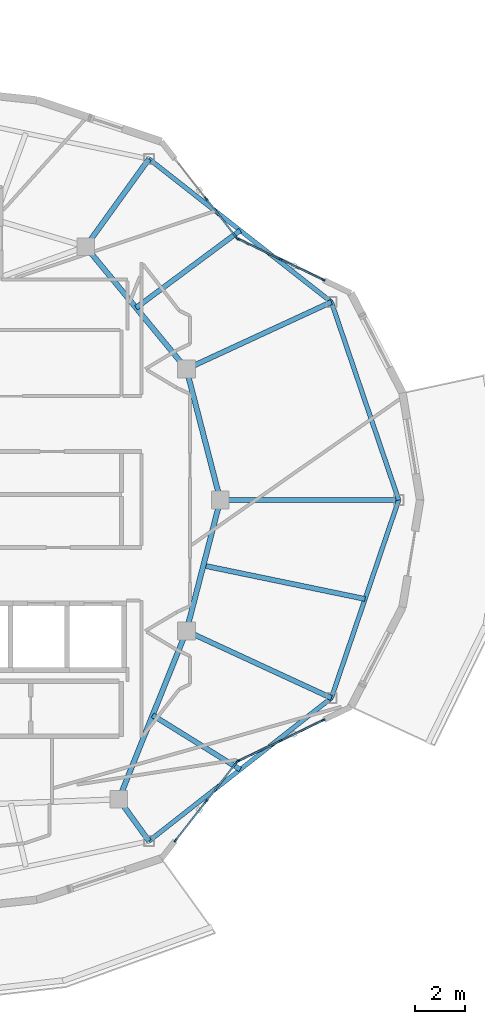
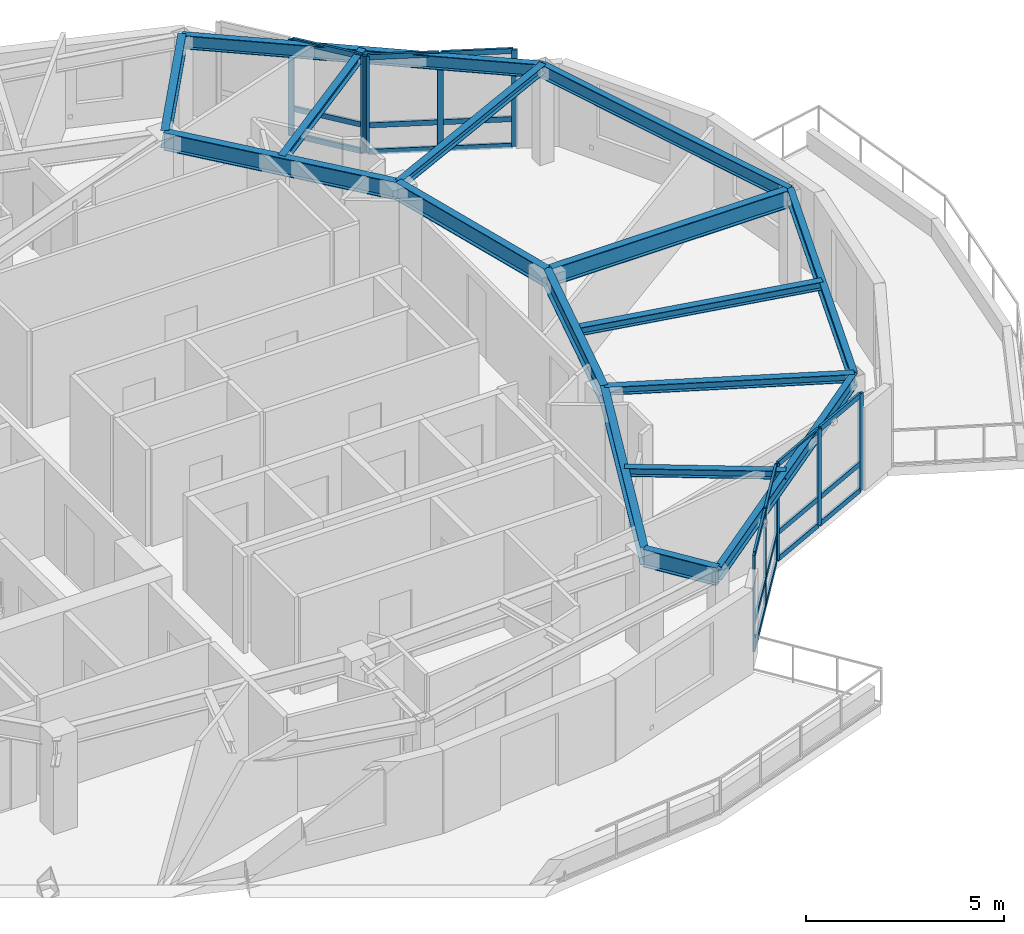
# One storey, part 4 of 15: 32 members, 16 beams, 4 elements without a shape of their own.
"""IFC4 building model written with IfcOpenShell, lengths in metres."""

import ifcopenshell
import ifcopenshell.guid

model = None  # the IFC model being written
_history = None  # IfcOwnerHistory: only IFC2X3 demands one
_inside = {}  # id of a spatial element -> (the spatial element, [elements in it])
_under = {}  # id of a project, library or spatial element -> (it, [spatial elements below it])
_declared = {}  # id of a project -> (the project, [libraries it declares])
_typed = {}  # id of a type object -> (the type object, [elements of that type])
_made_of = {}  # id of a material, layer set ... -> (it, [elements and type objects made of it])


def new_model(schema):
    """Start an empty IFC model of exactly this schema.

    Asked for "IFC4X3", IfcOpenShell would pick the latest addendum, in which some entities
    have other attributes; the version numbers below select the first issue.
    IFC2X3 requires an IfcOwnerHistory on every rooted entity: one is made here for all.
    """
    global model, _history
    if schema == "IFC4X3":
        model = ifcopenshell.file(schema_version=(4, 3, 0, 0))
    else:
        model = ifcopenshell.file(schema=schema)
    _inside.clear()
    _under.clear()
    _declared.clear()
    _typed.clear()
    _made_of.clear()
    _history = None
    if model.schema == "IFC2X3":
        org = make("IfcOrganization", Name="unknown")
        user = make(
            "IfcPersonAndOrganization",
            ThePerson=make("IfcPerson", FamilyName="unknown"),
            TheOrganization=org,
        )
        app = make(
            "IfcApplication",
            ApplicationDeveloper=org,
            Version="unknown",
            ApplicationFullName="unknown",
            ApplicationIdentifier="unknown",
        )
        _history = make(
            "IfcOwnerHistory",
            OwningUser=user,
            OwningApplication=app,
            ChangeAction="ADDED",
            CreationDate=0,
        )
    return model


def make(cls, **values):
    """One entity of the class cls with the attributes given. An attribute that is None is left unset."""
    return model.create_entity(
        cls, **{name: value for name, value in values.items() if value is not None}
    )


def rooted(cls, **values):
    """An entity with a GlobalId (a new one), such as an element, a storey or a relation."""
    return make(cls, GlobalId=ifcopenshell.guid.new(), OwnerHistory=_history, **values)


def si_unit(unit_type, name, prefix=None):
    """IfcSIUnit, for example si_unit("LENGTHUNIT", "METRE", prefix="MILLI")."""
    return make("IfcSIUnit", UnitType=unit_type, Prefix=prefix, Name=name)


def assignment(units):
    """IfcUnitAssignment: the units of a project."""
    return None if units is None else make("IfcUnitAssignment", Units=units)


def point(xyz):
    """IfcCartesianPoint."""
    return None if xyz is None else make("IfcCartesianPoint", Coordinates=xyz)


def direction(xyz):
    """IfcDirection."""
    return None if xyz is None else make("IfcDirection", DirectionRatios=xyz)


def frame(location, z_axis=None, x_axis=None):
    """IfcAxis2Placement3D, a coordinate frame: its origin and axes. An axis left out is left unset."""
    return make(
        "IfcAxis2Placement3D",
        Location=point(location),
        Axis=direction(z_axis),
        RefDirection=direction(x_axis),
    )


def frame_2d(location, x_axis=None):
    """IfcAxis2Placement2D, a coordinate frame in the plane: its origin and x axis."""
    return make(
        "IfcAxis2Placement2D", Location=point(location), RefDirection=direction(x_axis)
    )


def origin():
    """The frame at (0, 0, 0) with its axes left unset."""
    return frame((0.0, 0.0, 0.0))


def origin_2d():
    """The frame at (0, 0) in the plane with its x axis left unset."""
    return frame_2d((0.0, 0.0))


def place(relative_to, where):
    """IfcLocalPlacement: puts the frame where relative to a parent placement (None: the world)."""
    return make(
        "IfcLocalPlacement", PlacementRelTo=relative_to, RelativePlacement=where
    )


def context(
    kind, dimensions, precision=None, world=None, true_north=None, identifier=None
):
    """IfcGeometricRepresentationContext, for example the 3D "Model" context."""
    return make(
        "IfcGeometricRepresentationContext",
        ContextIdentifier=identifier,
        ContextType=kind,
        CoordinateSpaceDimension=dimensions,
        Precision=precision,
        WorldCoordinateSystem=world,
        TrueNorth=true_north,
    )


def subcontext(parent, identifier, kind, view, scale=None):
    """IfcGeometricRepresentationSubContext, for example "Body" below "Model"."""
    return make(
        "IfcGeometricRepresentationSubContext",
        ContextIdentifier=identifier,
        ContextType=kind,
        ParentContext=parent,
        TargetScale=scale,
        TargetView=view,
    )


def project(units=None, contexts=None):
    """IfcProject with its units and contexts."""
    return rooted(
        "IfcProject",
        Name="project",
        RepresentationContexts=contexts,
        UnitsInContext=assignment(units),
    )


def spatial(cls, under=None, at=None, **own):
    """A site, building, storey or space (cls), placed at a placement, below another one or the project."""
    s = rooted(cls, ObjectPlacement=at, **own)
    if under is not None:
        _under.setdefault(under.id(), (under, []))[1].append(s)
    return s


def profile(cls, at=None, kind="AREA", **sizes):
    """A parametric profile (cls). Its sizes go by their IFC names, for example OverallWidth=200.0."""
    return make(cls, ProfileType=kind, Position=at, **sizes)


def rectangle(**sizes):
    """IfcRectangleProfileDef."""
    return profile("IfcRectangleProfileDef", **sizes)


def i_section(**sizes):
    """IfcIShapeProfileDef."""
    return profile("IfcIShapeProfileDef", **sizes)


def extrude(swept, where, along, depth):
    """IfcExtrudedAreaSolid: the profile swept, set in the frame where, extruded along a direction by depth."""
    return make(
        "IfcExtrudedAreaSolid",
        SweptArea=swept,
        Position=where,
        ExtrudedDirection=direction(along),
        Depth=depth,
    )


def shape(context_of_items, identifier, shape_type, items):
    """IfcShapeRepresentation: the items that make up one representation, for example the "Body"."""
    return make(
        "IfcShapeRepresentation",
        ContextOfItems=context_of_items,
        RepresentationIdentifier=identifier,
        RepresentationType=shape_type,
        Items=items,
    )


def material(Name=None, Category=None):
    """IfcMaterial."""
    return make("IfcMaterial", Name=Name, Category=Category)


def layer(
    of_material, thickness, ventilated=None, Name=None, Category=None, Priority=None
):
    """IfcMaterialLayer: one layer of a wall or slab, of a material (None: an air gap)."""
    return make(
        "IfcMaterialLayer",
        Material=of_material,
        LayerThickness=thickness,
        IsVentilated=ventilated,
        Name=Name,
        Category=Category,
        Priority=Priority,
    )


def layer_set(layers, Name=None):
    """IfcMaterialLayerSet."""
    return make("IfcMaterialLayerSet", MaterialLayers=layers, LayerSetName=Name)


def material_profile(
    of_material, cross_section, Name=None, Category=None, Priority=None
):
    """IfcMaterialProfile: a cross section and its material."""
    return make(
        "IfcMaterialProfile",
        Name=Name,
        Material=of_material,
        Profile=cross_section,
        Priority=Priority,
        Category=Category,
    )


def profile_set(profiles, Name=None, composite=None):
    """IfcMaterialProfileSet."""
    return make(
        "IfcMaterialProfileSet",
        Name=Name,
        MaterialProfiles=profiles,
        CompositeProfile=composite,
    )


def made_of(thing, what):
    """Note that an element or type object is made of a material, layer set ...; save() writes the relation."""
    if what is not None:
        _made_of.setdefault(what.id(), (what, []))[1].append(thing)
    return thing


def type_object(cls, material=None, **own):
    """A type object (cls), such as IfcWallType, which elements share."""
    return made_of(rooted(cls, **own), material)


def element(
    cls,
    number,
    at=None,
    inside=None,
    cuts=None,
    type_object=None,
    material=None,
    context=None,
    identifier="Body",
    shape_type=None,
    held_by="IfcProductDefinitionShape",
    body=None,
    shapes=None,
    **own,
):
    """One element of the class cls, such as IfcWall. Its Tag is "e" and its number.

    at: its placement. inside: the storey or other place that contains it. cuts: it is an
    opening in that element (IfcRelVoidsElement). A single representation is given by context,
    identifier, shape_type and body (its items); several are given by shapes. held_by: the class
    of the entity that holds the representations. save() writes the other relations.
    """
    e = rooted(cls, Tag="e%d" % number, ObjectPlacement=at, **own)
    if body is not None:
        shapes = [shape(context, identifier, shape_type, body)]
    if shapes is not None:
        e.Representation = make(held_by, Representations=shapes)
    if inside is not None:
        _inside.setdefault(inside.id(), (inside, []))[1].append(e)
    if cuts is not None:
        rooted(
            "IfcRelVoidsElement", RelatingBuildingElement=cuts, RelatedOpeningElement=e
        )
    if type_object is not None:
        _typed.setdefault(type_object.id(), (type_object, []))[1].append(e)
    return made_of(e, material)


def aggregate(whole, parts):
    """IfcRelAggregates: a whole, such as a stair, and the parts it consists of."""
    return rooted("IfcRelAggregates", RelatingObject=whole, RelatedObjects=parts)


def save(model, path):
    """Write the relations noted so far, then the file.

    IfcRelAggregates (storeys below a building ...), IfcRelContainedInSpatialStructure (elements
    in a storey), IfcRelDefinesByType, IfcRelAssociatesMaterial and IfcRelDeclares: one each for
    every whole, place, type object, material and project.
    """
    for whole, parts in _under.values():
        aggregate(whole, parts)
    for where, things in _inside.values():
        rooted(
            "IfcRelContainedInSpatialStructure",
            RelatedElements=things,
            RelatingStructure=where,
        )
    for kind, things in _typed.values():
        rooted("IfcRelDefinesByType", RelatedObjects=things, RelatingType=kind)
    for what, things in _made_of.values():
        rooted("IfcRelAssociatesMaterial", RelatedObjects=things, RelatingMaterial=what)
    for by, libraries in _declared.values():
        rooted("IfcRelDeclares", RelatingContext=by, RelatedDefinitions=libraries)
    model.write(path)


model = new_model("IFC4")

# Units and contexts
model_context = context("Model", 3, precision=1e-05, world=origin(), true_north=direction((0.0, 1.0)))
body_context = subcontext(model_context, "Body", "Model", "MODEL_VIEW")
ifc_project = project(units=[si_unit("LENGTHUNIT", "METRE"), si_unit("AREAUNIT", "SQUARE_METRE"), si_unit("VOLUMEUNIT", "CUBIC_METRE"), si_unit("PLANEANGLEUNIT", "RADIAN"), si_unit("MASSUNIT", "GRAM", prefix="KILO")], contexts=[model_context])

# Site, building, storey
site_placement = place(None, origin())
site = spatial("IfcSite", under=ifc_project, at=site_placement, CompositionType="ELEMENT")
building_placement = place(site_placement, origin())
building = spatial("IfcBuilding", under=site, at=building_placement, Name="Kolvaren Gate Tower and Convention Centre", CompositionType="ELEMENT")
storey_placement = place(building_placement, frame((0.0, 0.0, 272.300048828125)))
storey = spatial("IfcBuildingStorey", under=building, at=storey_placement, Name="L74", CompositionType="ELEMENT", Elevation=272.300048828125)

# Curtain wall, members
ifc_material_1 = material(Name="Anodized Architectural Aluminium Alloy 6063-T6", Category="aluminium")
ifc_layer = layer(ifc_material_1, 0.159912109375)
ifc_layer_set = layer_set([ifc_layer], Name="Anodized Architectural Aluminium Alloy 6063-T6")
curtain_wall_type = type_object("IfcCurtainWallType", Name="CW-RES-UNIT", PredefinedType="NOTDEFINED", material=ifc_layer_set)
curtain_wall_1_placement = place(storey_placement, origin())
curtain_wall_1 = element("IfcCurtainWall", 1, at=curtain_wall_1_placement, inside=storey, type_object=curtain_wall_type, Name="Tower L74 Unitised Curtain Wall CW-RES-UNIT Bay 02", PredefinedType="NOTDEFINED")
ifc_material_profile_1 = material_profile(ifc_material_1, rectangle(XDim=0.06494140625, YDim=0.159912109375, at=origin_2d()), Name="CW-MEM-MUL-160")
ifc_profile_set_1 = profile_set([ifc_material_profile_1], Name="Anodized Architectural Aluminium Alloy 6063-T6")
member_type_1 = type_object("IfcMemberType", Name="CW-MEM-MUL-160", PredefinedType="MULLION", material=ifc_profile_set_1)
member_1_placement = place(storey_placement, frame((43.43310546875, 37.361328125, 0.0), z_axis=(0.0, 0.0, 1.0), x_axis=(0.433069519262, 0.90136052248, 0.0)))
member_1 = element("IfcMember", 2, at=member_1_placement, type_object=member_type_1, Name="CW-04 mullion 1", PredefinedType="MULLION", context=body_context, shape_type="SweptSolid", body=[
    extrude(rectangle(XDim=0.06494140625, YDim=0.159912109375, at=origin_2d()), origin(), (0.0, 0.0, 1.0), 2.97998046875),
])
member_2_placement = place(storey_placement, frame((45.122314453125, 36.5498046875, 0.0), z_axis=(0.0, 0.0, 1.0), x_axis=(0.433069519262, 0.90136052248, 0.0)))
member_2 = element("IfcMember", 3, at=member_2_placement, type_object=member_type_1, Name="CW-04 mullion 2", PredefinedType="MULLION", context=body_context, shape_type="SweptSolid", body=[
    extrude(rectangle(XDim=0.06494140625, YDim=0.159912109375, at=origin_2d()), origin(), (0.0, 0.0, 1.0), 2.97998046875),
])
member_3_placement = place(storey_placement, frame((46.8115234375, 35.73828125, 0.0), z_axis=(0.0, 0.0, 1.0), x_axis=(0.433069519262, 0.90136052248, 0.0)))
member_3 = element("IfcMember", 4, at=member_3_placement, type_object=member_type_1, Name="CW-04 mullion 3", PredefinedType="MULLION", context=body_context, shape_type="SweptSolid", body=[
    extrude(rectangle(XDim=0.06494140625, YDim=0.159912109375, at=origin_2d()), origin(), (0.0, 0.0, 1.0), 2.97998046875),
])

curtain_wall_2_placement = place(storey_placement, origin())
curtain_wall_2 = element("IfcCurtainWall", 5, at=curtain_wall_2_placement, inside=storey, type_object=curtain_wall_type, Name="Tower L74 Unitised Curtain Wall CW-RES-UNIT Bay 03", PredefinedType="NOTDEFINED")
member_4_placement = place(storey_placement, frame((42.167236328125, 38.955078125, 0.0), z_axis=(0.0, 0.0, 1.0), x_axis=(0.787407693173, 0.616432579226, 0.0)))
member_4 = element("IfcMember", 6, at=member_4_placement, type_object=member_type_1, Name="CW-04 mullion 2", PredefinedType="MULLION", context=body_context, shape_type="SweptSolid", body=[
    extrude(rectangle(XDim=0.06494140625, YDim=0.159912109375, at=origin_2d()), origin(), (0.0, 0.0, 1.0), 2.97998046875),
])
member_5_placement = place(storey_placement, frame((43.3837890625, 37.40087890625, 0.0), z_axis=(0.0, 0.0, 1.0), x_axis=(0.787407693173, 0.616432579226, 0.0)))
member_5 = element("IfcMember", 7, at=member_5_placement, type_object=member_type_1, Name="CW-04 mullion 3", PredefinedType="MULLION", context=body_context, shape_type="SweptSolid", body=[
    extrude(rectangle(XDim=0.06494140625, YDim=0.159912109375, at=origin_2d()), origin(), (0.0, 0.0, 1.0), 2.97998046875),
])

curtain_wall_3_placement = place(storey_placement, origin())
curtain_wall_3 = element("IfcCurtainWall", 8, at=curtain_wall_3_placement, inside=storey, type_object=curtain_wall_type, Name="Tower L74 Unitised Curtain Wall CW-RES-UNIT Bay 20", PredefinedType="NOTDEFINED")
member_6_placement = place(storey_placement, frame((40.95068359375, 13.490966796875, 0.0), z_axis=(0.0, 0.0, 1.0), x_axis=(-0.787407693173, 0.616432579226, 0.0)))
member_6 = element("IfcMember", 9, at=member_6_placement, type_object=member_type_1, Name="CW-04 mullion 1", PredefinedType="MULLION", context=body_context, shape_type="SweptSolid", body=[
    extrude(rectangle(XDim=0.06494140625, YDim=0.159912109375, at=origin_2d()), origin(), (0.0, 0.0, 1.0), 2.97998046875),
])
member_7_placement = place(storey_placement, frame((42.167236328125, 15.044921875, 0.0), z_axis=(0.0, 0.0, 1.0), x_axis=(-0.787407693173, 0.616432579226, 0.0)))
member_7 = element("IfcMember", 10, at=member_7_placement, type_object=member_type_1, Name="CW-04 mullion 2", PredefinedType="MULLION", context=body_context, shape_type="SweptSolid", body=[
    extrude(rectangle(XDim=0.06494140625, YDim=0.159912109375, at=origin_2d()), origin(), (0.0, 0.0, 1.0), 2.97998046875),
])
member_8_placement = place(storey_placement, frame((43.3837890625, 16.59912109375, 0.0), z_axis=(0.0, 0.0, 1.0), x_axis=(-0.787407693173, 0.616432579226, 0.0)))
member_8 = element("IfcMember", 11, at=member_8_placement, type_object=member_type_1, Name="CW-04 mullion 3", PredefinedType="MULLION", context=body_context, shape_type="SweptSolid", body=[
    extrude(rectangle(XDim=0.06494140625, YDim=0.159912109375, at=origin_2d()), origin(), (0.0, 0.0, 1.0), 2.97998046875),
])

curtain_wall_4_placement = place(storey_placement, origin())
curtain_wall_4 = element("IfcCurtainWall", 12, at=curtain_wall_4_placement, inside=storey, type_object=curtain_wall_type, Name="Tower L74 Unitised Curtain Wall CW-RES-UNIT Bay 21", PredefinedType="NOTDEFINED")
member_9_placement = place(storey_placement, frame((43.43310546875, 16.638671875, 0.0), z_axis=(0.0, 0.0, 1.0), x_axis=(-0.433069519262, 0.90136052248, 0.0)))
member_9 = element("IfcMember", 13, at=member_9_placement, type_object=member_type_1, Name="CW-04 mullion 1", PredefinedType="MULLION", context=body_context, shape_type="SweptSolid", body=[
    extrude(rectangle(XDim=0.06494140625, YDim=0.159912109375, at=origin_2d()), origin(), (0.0, 0.0, 1.0), 2.97998046875),
])
member_10_placement = place(storey_placement, frame((45.122314453125, 17.4501953125, 0.0), z_axis=(0.0, 0.0, 1.0), x_axis=(-0.433069519262, 0.90136052248, 0.0)))
member_10 = element("IfcMember", 14, at=member_10_placement, type_object=member_type_1, Name="CW-04 mullion 2", PredefinedType="MULLION", context=body_context, shape_type="SweptSolid", body=[
    extrude(rectangle(XDim=0.06494140625, YDim=0.159912109375, at=origin_2d()), origin(), (0.0, 0.0, 1.0), 2.97998046875),
])
member_11_placement = place(storey_placement, frame((46.8115234375, 18.26171875, 0.0), z_axis=(0.0, 0.0, 1.0), x_axis=(-0.433069519262, 0.90136052248, 0.0)))
member_11 = element("IfcMember", 15, at=member_11_placement, type_object=member_type_1, Name="CW-04 mullion 3", PredefinedType="MULLION", context=body_context, shape_type="SweptSolid", body=[
    extrude(rectangle(XDim=0.06494140625, YDim=0.159912109375, at=origin_2d()), origin(), (0.0, 0.0, 1.0), 2.97998046875),
])

# Member
ifc_material_profile_2 = material_profile(ifc_material_1, rectangle(XDim=0.06494140625, YDim=0.159912109375, at=origin_2d()), Name="CW-MEM-TRN-160")
ifc_profile_set_2 = profile_set([ifc_material_profile_2], Name="Anodized Architectural Aluminium Alloy 6063-T6")
member_type_2 = type_object("IfcMemberType", Name="CW-MEM-TRN-160", PredefinedType="USERDEFINED", material=ifc_profile_set_2)
member_12_placement = place(storey_placement, frame((43.46240234375, 37.34716796875, 0.032470703125), z_axis=(0.901360838228, -0.433068862086, 0.0), x_axis=(0.433068862086, 0.901360838228, 0.0)))
member_12 = element("IfcMember", 16, at=member_12_placement, type_object=member_type_2, Name="CW-04 transom 1.1", ObjectType="TRANSOM", PredefinedType="USERDEFINED", context=body_context, shape_type="SweptSolid", body=[
    extrude(rectangle(XDim=0.06494140625, YDim=0.159912109375, at=origin_2d()), origin(), (0.0, 0.0, 1.0), 1.80908203125),
])

member_13_placement = place(storey_placement, frame((43.46240234375, 37.34716796875, 0.849853515625), z_axis=(0.901360838228, -0.433068862086, 0.0), x_axis=(0.433068862086, 0.901360838228, 0.0)))
member_13 = element("IfcMember", 17, at=member_13_placement, type_object=member_type_2, Name="CW-04 transom 1.2", ObjectType="TRANSOM", PredefinedType="USERDEFINED", context=body_context, shape_type="SweptSolid", body=[
    extrude(rectangle(XDim=0.06494140625, YDim=0.159912109375, at=origin_2d()), origin(), (0.0, 0.0, 1.0), 1.80908203125),
])

member_14_placement = place(storey_placement, frame((43.46240234375, 37.34716796875, 2.947509765625), z_axis=(0.901360838228, -0.433068862086, 0.0), x_axis=(0.433068862086, 0.901360838228, 0.0)))
member_14 = element("IfcMember", 18, at=member_14_placement, type_object=member_type_2, Name="CW-04 transom 1.3", ObjectType="TRANSOM", PredefinedType="USERDEFINED", context=body_context, shape_type="SweptSolid", body=[
    extrude(rectangle(XDim=0.06494140625, YDim=0.159912109375, at=origin_2d()), origin(), (0.0, 0.0, 1.0), 1.80908203125),
])

member_15_placement = place(storey_placement, frame((45.151611328125, 36.53564453125, 0.032470703125), z_axis=(0.901360838228, -0.433068862086, 0.0), x_axis=(0.433068862086, 0.901360838228, 0.0)))
member_15 = element("IfcMember", 19, at=member_15_placement, type_object=member_type_2, Name="CW-04 transom 2.1", ObjectType="TRANSOM", PredefinedType="USERDEFINED", context=body_context, shape_type="SweptSolid", body=[
    extrude(rectangle(XDim=0.06494140625, YDim=0.159912109375, at=origin_2d()), origin(), (0.0, 0.0, 1.0), 1.80908203125),
])

member_16_placement = place(storey_placement, frame((45.151611328125, 36.53564453125, 0.849853515625), z_axis=(0.901360838228, -0.433068862086, 0.0), x_axis=(0.433068862086, 0.901360838228, 0.0)))
member_16 = element("IfcMember", 20, at=member_16_placement, type_object=member_type_2, Name="CW-04 transom 2.2", ObjectType="TRANSOM", PredefinedType="USERDEFINED", context=body_context, shape_type="SweptSolid", body=[
    extrude(rectangle(XDim=0.06494140625, YDim=0.159912109375, at=origin_2d()), origin(), (0.0, 0.0, 1.0), 1.80908203125),
])

member_17_placement = place(storey_placement, frame((45.151611328125, 36.53564453125, 2.947509765625), z_axis=(0.901360838228, -0.433068862086, 0.0), x_axis=(0.433068862086, 0.901360838228, 0.0)))
member_17 = element("IfcMember", 21, at=member_17_placement, type_object=member_type_2, Name="CW-04 transom 2.3", ObjectType="TRANSOM", PredefinedType="USERDEFINED", context=body_context, shape_type="SweptSolid", body=[
    extrude(rectangle(XDim=0.06494140625, YDim=0.159912109375, at=origin_2d()), origin(), (0.0, 0.0, 1.0), 1.80908203125),
])

aggregate(curtain_wall_1, [member_1, member_2, member_3, member_12, member_13, member_14, member_15, member_16, member_17])

member_18_placement = place(storey_placement, frame((42.187255859375, 38.929443359375, 0.032470703125), z_axis=(0.61640827703, -0.787426717866, 0.0), x_axis=(0.787426717866, 0.61640827703, 0.0)))
member_18 = element("IfcMember", 22, at=member_18_placement, type_object=member_type_2, Name="CW-04 transom 2.1", ObjectType="TRANSOM", PredefinedType="USERDEFINED", context=body_context, shape_type="SweptSolid", body=[
    extrude(rectangle(XDim=0.06494140625, YDim=0.159912109375, at=origin_2d()), origin(), (0.0, 0.0, 1.0), 1.90869140625),
])

member_19_placement = place(storey_placement, frame((42.187255859375, 38.929443359375, 0.849853515625), z_axis=(0.61640827703, -0.787426717866, 0.0), x_axis=(0.787426717866, 0.61640827703, 0.0)))
member_19 = element("IfcMember", 23, at=member_19_placement, type_object=member_type_2, Name="CW-04 transom 2.2", ObjectType="TRANSOM", PredefinedType="USERDEFINED", context=body_context, shape_type="SweptSolid", body=[
    extrude(rectangle(XDim=0.06494140625, YDim=0.159912109375, at=origin_2d()), origin(), (0.0, 0.0, 1.0), 1.90869140625),
])

member_20_placement = place(storey_placement, frame((42.187255859375, 38.929443359375, 2.947509765625), z_axis=(0.61640827703, -0.787426717866, 0.0), x_axis=(0.787426717866, 0.61640827703, 0.0)))
member_20 = element("IfcMember", 24, at=member_20_placement, type_object=member_type_2, Name="CW-04 transom 2.3", ObjectType="TRANSOM", PredefinedType="USERDEFINED", context=body_context, shape_type="SweptSolid", body=[
    extrude(rectangle(XDim=0.06494140625, YDim=0.159912109375, at=origin_2d()), origin(), (0.0, 0.0, 1.0), 1.90869140625),
])

aggregate(curtain_wall_2, [member_4, member_5, member_18, member_19, member_20])

member_21_placement = place(storey_placement, frame((40.970703125, 13.5166015625, 0.032470703125), z_axis=(0.616470366862, 0.787378109158, 0.0), x_axis=(-0.787378109158, 0.616470366862, 0.0)))
member_21 = element("IfcMember", 25, at=member_21_placement, type_object=member_type_2, Name="CW-04 transom 1.1", ObjectType="TRANSOM", PredefinedType="USERDEFINED", context=body_context, shape_type="SweptSolid", body=[
    extrude(rectangle(XDim=0.06494140625, YDim=0.159912109375, at=origin_2d()), origin(), (0.0, 0.0, 1.0), 1.908447265625),
])

member_22_placement = place(storey_placement, frame((40.970703125, 13.5166015625, 0.849853515625), z_axis=(0.616470366862, 0.787378109158, 0.0), x_axis=(-0.787378109158, 0.616470366862, 0.0)))
member_22 = element("IfcMember", 26, at=member_22_placement, type_object=member_type_2, Name="CW-04 transom 1.2", ObjectType="TRANSOM", PredefinedType="USERDEFINED", context=body_context, shape_type="SweptSolid", body=[
    extrude(rectangle(XDim=0.06494140625, YDim=0.159912109375, at=origin_2d()), origin(), (0.0, 0.0, 1.0), 1.908447265625),
])

member_23_placement = place(storey_placement, frame((40.970703125, 13.5166015625, 2.947509765625), z_axis=(0.616470366862, 0.787378109158, 0.0), x_axis=(-0.787378109158, 0.616470366862, 0.0)))
member_23 = element("IfcMember", 27, at=member_23_placement, type_object=member_type_2, Name="CW-04 transom 1.3", ObjectType="TRANSOM", PredefinedType="USERDEFINED", context=body_context, shape_type="SweptSolid", body=[
    extrude(rectangle(XDim=0.06494140625, YDim=0.159912109375, at=origin_2d()), origin(), (0.0, 0.0, 1.0), 1.908447265625),
])

member_24_placement = place(storey_placement, frame((42.187255859375, 15.070556640625, 0.032470703125), z_axis=(0.61640827703, 0.787426717866, 0.0), x_axis=(-0.787426717866, 0.61640827703, 0.0)))
member_24 = element("IfcMember", 28, at=member_24_placement, type_object=member_type_2, Name="CW-04 transom 2.1", ObjectType="TRANSOM", PredefinedType="USERDEFINED", context=body_context, shape_type="SweptSolid", body=[
    extrude(rectangle(XDim=0.06494140625, YDim=0.159912109375, at=origin_2d()), origin(), (0.0, 0.0, 1.0), 1.90869140625),
])

member_25_placement = place(storey_placement, frame((42.187255859375, 15.070556640625, 0.849853515625), z_axis=(0.61640827703, 0.787426717866, 0.0), x_axis=(-0.787426717866, 0.61640827703, 0.0)))
member_25 = element("IfcMember", 29, at=member_25_placement, type_object=member_type_2, Name="CW-04 transom 2.2", ObjectType="TRANSOM", PredefinedType="USERDEFINED", context=body_context, shape_type="SweptSolid", body=[
    extrude(rectangle(XDim=0.06494140625, YDim=0.159912109375, at=origin_2d()), origin(), (0.0, 0.0, 1.0), 1.90869140625),
])

member_26_placement = place(storey_placement, frame((42.187255859375, 15.070556640625, 2.947509765625), z_axis=(0.61640827703, 0.787426717866, 0.0), x_axis=(-0.787426717866, 0.61640827703, 0.0)))
member_26 = element("IfcMember", 30, at=member_26_placement, type_object=member_type_2, Name="CW-04 transom 2.3", ObjectType="TRANSOM", PredefinedType="USERDEFINED", context=body_context, shape_type="SweptSolid", body=[
    extrude(rectangle(XDim=0.06494140625, YDim=0.159912109375, at=origin_2d()), origin(), (0.0, 0.0, 1.0), 1.90869140625),
])

aggregate(curtain_wall_3, [member_6, member_7, member_8, member_21, member_22, member_23, member_24, member_25, member_26])

member_27_placement = place(storey_placement, frame((43.46240234375, 16.65283203125, 0.032470703125), z_axis=(0.901360838228, 0.433068862086, 0.0), x_axis=(-0.433068862086, 0.901360838228, 0.0)))
member_27 = element("IfcMember", 31, at=member_27_placement, type_object=member_type_2, Name="CW-04 transom 1.1", ObjectType="TRANSOM", PredefinedType="USERDEFINED", context=body_context, shape_type="SweptSolid", body=[
    extrude(rectangle(XDim=0.06494140625, YDim=0.159912109375, at=origin_2d()), origin(), (0.0, 0.0, 1.0), 1.80908203125),
])

member_28_placement = place(storey_placement, frame((43.46240234375, 16.65283203125, 0.849853515625), z_axis=(0.901360838228, 0.433068862086, 0.0), x_axis=(-0.433068862086, 0.901360838228, 0.0)))
member_28 = element("IfcMember", 32, at=member_28_placement, type_object=member_type_2, Name="CW-04 transom 1.2", ObjectType="TRANSOM", PredefinedType="USERDEFINED", context=body_context, shape_type="SweptSolid", body=[
    extrude(rectangle(XDim=0.06494140625, YDim=0.159912109375, at=origin_2d()), origin(), (0.0, 0.0, 1.0), 1.80908203125),
])

member_29_placement = place(storey_placement, frame((43.46240234375, 16.65283203125, 2.947509765625), z_axis=(0.901360838228, 0.433068862086, 0.0), x_axis=(-0.433068862086, 0.901360838228, 0.0)))
member_29 = element("IfcMember", 33, at=member_29_placement, type_object=member_type_2, Name="CW-04 transom 1.3", ObjectType="TRANSOM", PredefinedType="USERDEFINED", context=body_context, shape_type="SweptSolid", body=[
    extrude(rectangle(XDim=0.06494140625, YDim=0.159912109375, at=origin_2d()), origin(), (0.0, 0.0, 1.0), 1.80908203125),
])

member_30_placement = place(storey_placement, frame((45.151611328125, 17.46435546875, 0.032470703125), z_axis=(0.901360838228, 0.433068862086, 0.0), x_axis=(-0.433068862086, 0.901360838228, 0.0)))
member_30 = element("IfcMember", 34, at=member_30_placement, type_object=member_type_2, Name="CW-04 transom 2.1", ObjectType="TRANSOM", PredefinedType="USERDEFINED", context=body_context, shape_type="SweptSolid", body=[
    extrude(rectangle(XDim=0.06494140625, YDim=0.159912109375, at=origin_2d()), origin(), (0.0, 0.0, 1.0), 1.80908203125),
])

member_31_placement = place(storey_placement, frame((45.151611328125, 17.46435546875, 0.849853515625), z_axis=(0.901360838228, 0.433068862086, 0.0), x_axis=(-0.433068862086, 0.901360838228, 0.0)))
member_31 = element("IfcMember", 35, at=member_31_placement, type_object=member_type_2, Name="CW-04 transom 2.2", ObjectType="TRANSOM", PredefinedType="USERDEFINED", context=body_context, shape_type="SweptSolid", body=[
    extrude(rectangle(XDim=0.06494140625, YDim=0.159912109375, at=origin_2d()), origin(), (0.0, 0.0, 1.0), 1.80908203125),
])

member_32_placement = place(storey_placement, frame((45.151611328125, 17.46435546875, 2.947509765625), z_axis=(0.901360838228, 0.433068862086, 0.0), x_axis=(-0.433068862086, 0.901360838228, 0.0)))
member_32 = element("IfcMember", 36, at=member_32_placement, type_object=member_type_2, Name="CW-04 transom 2.3", ObjectType="TRANSOM", PredefinedType="USERDEFINED", context=body_context, shape_type="SweptSolid", body=[
    extrude(rectangle(XDim=0.06494140625, YDim=0.159912109375, at=origin_2d()), origin(), (0.0, 0.0, 1.0), 1.80908203125),
])

aggregate(curtain_wall_4, [member_9, member_10, member_11, member_27, member_28, member_29, member_30, member_31, member_32])

# Beams
ifc_material_2 = material(Name="Structural steel ASTM A992 Grade 345 MPa", Category="steel")
ifc_material_profile_3 = material_profile(ifc_material_2, i_section(OverallWidth=0.2119140625, OverallDepth=0.5439453125, WebThickness=0.01318359375, FlangeThickness=0.021240234375, at=origin_2d()), Name="W530X123")
ifc_profile_set_3 = profile_set([ifc_material_profile_3], Name="Structural steel ASTM A992 Grade 345 MPa")
beam_type_1 = type_object("IfcBeamType", Name="STR-BM-W530X123", PredefinedType="BEAM", material=ifc_profile_set_3)
beam_1_placement = place(storey_placement, frame((42.72509765625, 27.0, 2.7080078125), z_axis=(-0.250091133936, -0.968222301296, 0.0), x_axis=(0.968222301296, -0.250091133936, 0.0)))
element("IfcBeam", 37, at=beam_1_placement, inside=storey, type_object=beam_type_1, Name="Tower L74 Primary Ring Girder G-01", PredefinedType="BEAM", context=body_context, shape_type="SweptSolid", body=[
    extrude(i_section(OverallWidth=0.2119140625, OverallDepth=0.5439453125, WebThickness=0.01318359375, FlangeThickness=0.021240234375, at=origin_2d()), origin(), (0.0, 0.0, 1.0), 5.3701171875),
])
beam_2_placement = place(storey_placement, frame((41.382080078125, 32.199462890625, 2.7080078125), z_axis=(-0.635884066011, 0.771784590798, 0.0), x_axis=(-0.771784590798, -0.635884066011, 0.0)))
element("IfcBeam", 38, at=beam_2_placement, inside=storey, type_object=beam_type_1, Name="Tower L74 Primary Ring Girder G-02", PredefinedType="BEAM", context=body_context, shape_type="SweptSolid", body=[
    extrude(i_section(OverallWidth=0.2119140625, OverallDepth=0.5439453125, WebThickness=0.01318359375, FlangeThickness=0.021240234375, at=origin_2d()), origin(), (0.0, 0.0, 1.0), 6.291259765625),
])
beam_3_placement = place(storey_placement, frame((38.6982421875, 15.12060546875, 2.7080078125), z_axis=(0.372811100169, 0.927907260232, 0.0), x_axis=(-0.927907260232, 0.372811100169, 0.0)))
element("IfcBeam", 39, at=beam_3_placement, inside=storey, type_object=beam_type_1, Name="Tower L74 Primary Ring Girder G-09", PredefinedType="BEAM", context=body_context, shape_type="SweptSolid", body=[
    extrude(i_section(OverallWidth=0.2119140625, OverallDepth=0.5439453125, WebThickness=0.01318359375, FlangeThickness=0.021240234375, at=origin_2d()), origin(), (0.0, 0.0, 1.0), 7.198974609375),
])
beam_4_placement = place(storey_placement, frame((42.72509765625, 27.0, 2.7080078125), z_axis=(-0.250091133936, 0.968222301296, 0.0), x_axis=(-0.968222301296, -0.250091133936, 0.0)))
element("IfcBeam", 40, at=beam_4_placement, inside=storey, type_object=beam_type_1, Name="Tower L74 Primary Ring Girder G-12", PredefinedType="BEAM", context=body_context, shape_type="SweptSolid", body=[
    extrude(i_section(OverallWidth=0.2119140625, OverallDepth=0.5439453125, WebThickness=0.01318359375, FlangeThickness=0.021240234375, at=origin_2d()), origin(), (0.0, 0.0, 1.0), 5.3701171875),
])
beam_5_placement = place(storey_placement, frame((42.72509765625, 27.0, 2.7080078125), z_axis=(1.0, 0.0, 0.0), x_axis=(0.0, 1.0, 0.0)))
element("IfcBeam", 41, at=beam_5_placement, inside=storey, type_object=beam_type_1, Name="Tower L74 Radial Floor Girder RB-01", PredefinedType="BEAM", context=body_context, shape_type="SweptSolid", body=[
    extrude(i_section(OverallWidth=0.2119140625, OverallDepth=0.5439453125, WebThickness=0.01318359375, FlangeThickness=0.021240234375, at=origin_2d()), origin(), (0.0, 0.0, 1.0), 7.0810546875),
])
beam_6_placement = place(storey_placement, frame((37.381591796875, 37.054931640625, 2.7080078125), z_axis=(0.585218448818, 0.810875679228, 0.0), x_axis=(-0.810875679228, 0.585218448818, 0.0)))
element("IfcBeam", 42, at=beam_6_placement, inside=storey, type_object=beam_type_1, Name="Tower L74 Radial Floor Girder RB-03", PredefinedType="BEAM", context=body_context, shape_type="SweptSolid", body=[
    extrude(i_section(OverallWidth=0.2119140625, OverallDepth=0.5439453125, WebThickness=0.01318359375, FlangeThickness=0.021240234375, at=origin_2d()), origin(), (0.0, 0.0, 1.0), 4.2919921875),
])
beam_7_placement = place(storey_placement, frame((38.6982421875, 15.12060546875, 2.7080078125), z_axis=(0.585246071944, -0.810855742579, 0.0), x_axis=(0.810855742579, 0.585246071944, 0.0)))
element("IfcBeam", 43, at=beam_7_placement, inside=storey, type_object=beam_type_1, Name="Tower L74 Radial Floor Girder RB-11", PredefinedType="BEAM", context=body_context, shape_type="SweptSolid", body=[
    extrude(i_section(OverallWidth=0.2119140625, OverallDepth=0.5439453125, WebThickness=0.01318359375, FlangeThickness=0.021240234375, at=origin_2d()), origin(), (0.0, 0.0, 1.0), 2.0419921875),
])
ifc_material_profile_4 = material_profile(ifc_material_2, i_section(OverallWidth=0.202880859375, OverallDepth=0.251953125, WebThickness=0.008056640625, FlangeThickness=0.013427734375, at=origin_2d()), Name="W250X58")
ifc_profile_set_4 = profile_set([ifc_material_profile_4], Name="Structural steel ASTM A992 Grade 345 MPa")
beam_type_2 = type_object("IfcBeamType", Name="STR-JS-W250X58", PredefinedType="JOIST", material=ifc_profile_set_4)
for number, where, z_axis, x_axis, name in (
    (44, (41.382080078125, 32.199462890625, 2.85400390625), (0.907833025456, 0.41933184698, 0.0), (-0.41933184698, 0.907833025456, 0.0), "Tower L74 Radial Floor Girder RB-02"),
    (45, (41.382080078125, 21.800537109375, 2.85400390625), (0.907833025456, -0.41933184698, 0.0), (0.41933184698, 0.907833025456, 0.0), "Tower L74 Radial Floor Girder RB-12"),
):
    element("IfcBeam", number, at=place(storey_placement, frame(where, z_axis=z_axis, x_axis=x_axis)), inside=storey, type_object=beam_type_2, Name=name, PredefinedType="JOIST", context=body_context, shape_type="SweptSolid", body=[
        extrude(i_section(OverallWidth=0.202880859375, OverallDepth=0.251953125, WebThickness=0.008056640625, FlangeThickness=0.013427734375, at=origin_2d()), origin(), (0.0, 0.0, 1.0), 6.335693359375),
    ])
beam_8_placement = place(storey_placement, frame((39.3818359375, 34.627197265625, 2.85400390625), z_axis=(0.802797696216, 0.596251506455, 0.0), x_axis=(-0.596251506455, 0.802797696216, 0.0)))
element("IfcBeam", 46, at=beam_8_placement, inside=storey, type_object=beam_type_2, Name="Tower L74 Secondary Composite Floor Joist J-02.1", PredefinedType="JOIST", context=body_context, shape_type="SweptSolid", body=[
    extrude(i_section(OverallWidth=0.202880859375, OverallDepth=0.251953125, WebThickness=0.008056640625, FlangeThickness=0.013427734375, at=origin_2d()), origin(), (0.0, 0.0, 1.0), 5.146484375),
])
beam_9_placement = place(storey_placement, frame((40.040283203125, 18.46044921875, 2.85400390625), z_axis=(0.849584798243, -0.527452055257, 0.0), x_axis=(0.527452055257, 0.849584798243, 0.0)))
element("IfcBeam", 47, at=beam_9_placement, inside=storey, type_object=beam_type_2, Name="Tower L74 Secondary Composite Floor Joist J-11.1", PredefinedType="JOIST", context=body_context, shape_type="SweptSolid", body=[
    extrude(i_section(OverallWidth=0.202880859375, OverallDepth=0.251953125, WebThickness=0.008056640625, FlangeThickness=0.013427734375, at=origin_2d()), origin(), (0.0, 0.0, 1.0), 4.088134765625),
])
beam_10_placement = place(storey_placement, frame((42.0537109375, 24.400146484375, 2.85400390625), z_axis=(0.97924155137, -0.20269677864, 0.0), x_axis=(0.20269677864, 0.97924155137, 0.0)))
element("IfcBeam", 48, at=beam_10_placement, inside=storey, type_object=beam_type_2, Name="Tower L74 Secondary Composite Floor Joist J-12.1", PredefinedType="JOIST", context=body_context, shape_type="SweptSolid", body=[
    extrude(i_section(OverallWidth=0.202880859375, OverallDepth=0.251953125, WebThickness=0.008056640625, FlangeThickness=0.013427734375, at=origin_2d()), origin(), (0.0, 0.0, 1.0), 6.55224609375),
])
ifc_material_profile_5 = material_profile(ifc_material_2, i_section(OverallWidth=0.180908203125, OverallDepth=0.4169921875, WebThickness=0.010986328125, FlangeThickness=0.018310546875, at=origin_2d()), Name="W410X85")
ifc_profile_set_5 = profile_set([ifc_material_profile_5], Name="Structural steel ASTM A992 Grade 345 MPa")
beam_type_3 = type_object("IfcBeamType", Name="STR-SP-W410X85", PredefinedType="SPANDREL", material=ifc_profile_set_5)
beam_11_placement = place(storey_placement, frame((49.80615234375, 27.0, 2.771484375), z_axis=(-0.322038282171, 0.946726647357, 0.0), x_axis=(-0.946726647357, -0.322038282171, 0.0)))
element("IfcBeam", 49, at=beam_11_placement, inside=storey, type_object=beam_type_3, Name="Tower L74 Perimeter Spandrel Beam SP-01", PredefinedType="SPANDREL", context=body_context, shape_type="SweptSolid", body=[
    extrude(i_section(OverallWidth=0.180908203125, OverallDepth=0.4169921875, WebThickness=0.010986328125, FlangeThickness=0.018310546875, at=origin_2d()), origin(), (0.0, 0.0, 1.0), 8.29833984375),
])
for number, where, z_axis, x_axis, name in (
    (50, (47.1337890625, 34.856201171875, 2.771484375), (-0.786845586039, 0.61714991998, 0.0), (-0.61714991998, -0.786845586039, 0.0), "Tower L74 Perimeter Spandrel Beam SP-02"),
    (51, (39.893310546875, 13.46484375, 2.771484375), (0.786845586039, 0.61714991998, 0.0), (-0.61714991998, 0.786845586039, 0.0), "Tower L74 Perimeter Spandrel Beam SP-11"),
):
    element("IfcBeam", number, at=place(storey_placement, frame(where, z_axis=z_axis, x_axis=x_axis)), inside=storey, type_object=beam_type_3, Name=name, PredefinedType="SPANDREL", context=body_context, shape_type="SweptSolid", body=[
        extrude(i_section(OverallWidth=0.180908203125, OverallDepth=0.4169921875, WebThickness=0.010986328125, FlangeThickness=0.018310546875, at=origin_2d()), origin(), (0.0, 0.0, 1.0), 9.201904296875),
    ])
beam_12_placement = place(storey_placement, frame((47.1337890625, 19.143798828125, 2.771484375), z_axis=(0.322038282171, 0.946726647357, 0.0), x_axis=(-0.946726647357, 0.322038282171, 0.0)))
element("IfcBeam", 52, at=beam_12_placement, inside=storey, type_object=beam_type_3, Name="Tower L74 Perimeter Spandrel Beam SP-12", PredefinedType="SPANDREL", context=body_context, shape_type="SweptSolid", body=[
    extrude(i_section(OverallWidth=0.180908203125, OverallDepth=0.4169921875, WebThickness=0.010986328125, FlangeThickness=0.018310546875, at=origin_2d()), origin(), (0.0, 0.0, 1.0), 8.29833984375),
])

save(model, "model.ifc")
